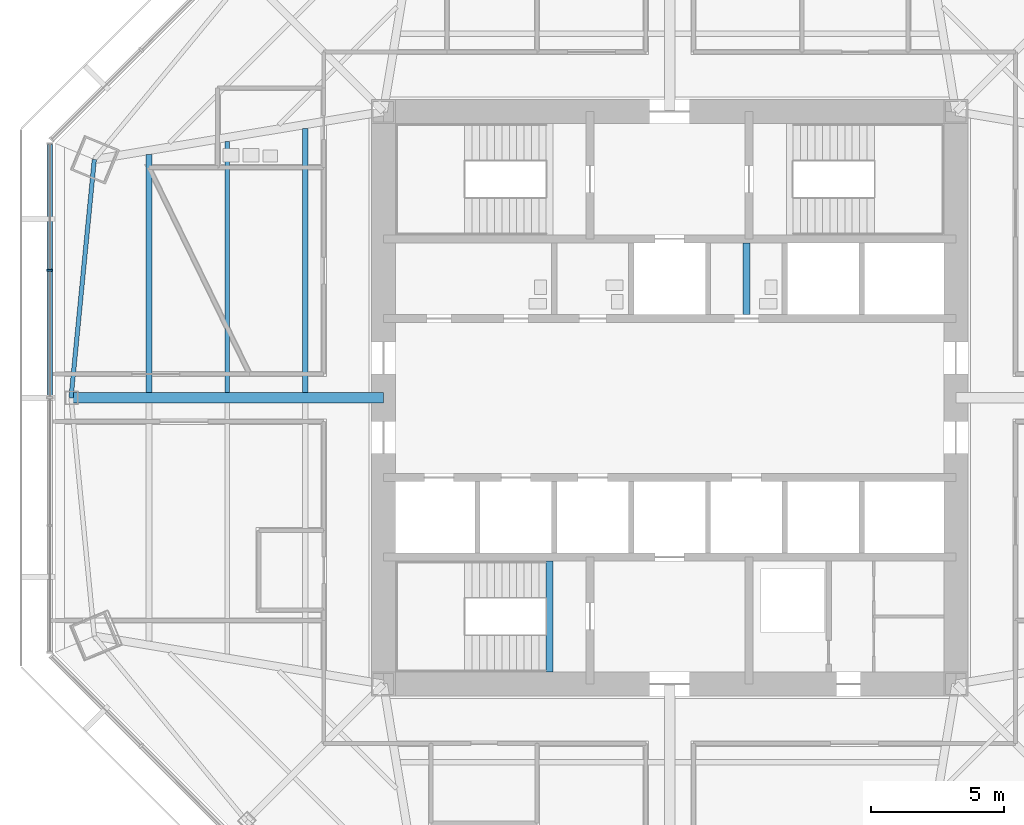
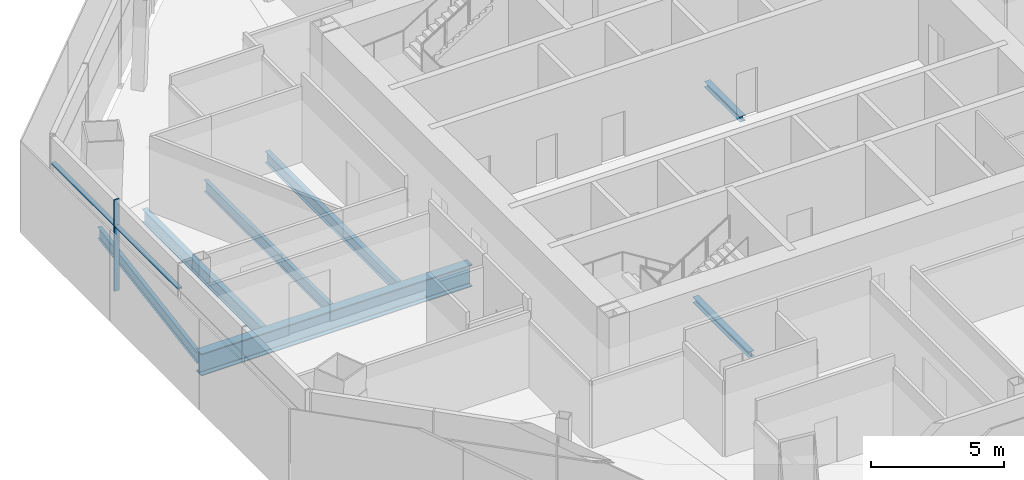
# One storey, part 3 of 15: 7 beams, 3 members, 1 element without a shape of its own.
"""IFC4 building model written with IfcOpenShell, lengths in metres."""

from ifc_helpers import new_model, si_unit, direction, frame, origin, origin_2d, place, context, subcontext, project, spatial, rectangle, i_section, extrude, source, transform, mapped, material, material_profile, profile_set, type_object, type_shapes, element, aggregate, save


model = new_model("IFC4")

# Units and contexts
model_context = context("Model", 3, precision=1e-05, world=origin(), true_north=direction((0.0, 1.0)))
body_context = subcontext(model_context, "Body", "Model", "MODEL_VIEW")
ifc_project = project(units=[si_unit("LENGTHUNIT", "METRE"), si_unit("AREAUNIT", "SQUARE_METRE"), si_unit("VOLUMEUNIT", "CUBIC_METRE"), si_unit("PLANEANGLEUNIT", "RADIAN"), si_unit("MASSUNIT", "GRAM", prefix="KILO")], contexts=[model_context])

# Site, building, storey
site_placement = place(None, origin())
site = spatial("IfcSite", under=ifc_project, at=site_placement, CompositionType="ELEMENT")
building_placement = place(site_placement, origin())
building = spatial("IfcBuilding", under=site, at=building_placement, Name="Mashrafa Tower", CompositionType="ELEMENT")
storey_placement = place(building_placement, frame((0.0, 0.0, 163.800048828125)))
storey = spatial("IfcBuildingStorey", under=building, at=storey_placement, Name="L37", CompositionType="ELEMENT", Elevation=163.800048828125)

# Beams
ifc_material_1 = material(Name="Steel ASTM A992", Category="steel")
ifc_material_profile_1 = material_profile(ifc_material_1, i_section(OverallWidth=0.1650390625, OverallDepth=0.52587890625, WebThickness=0.0087890625, FlangeThickness=0.011474609375, FilletRadius=0.0126953125, at=origin_2d()), Name="W21X44")
ifc_profile_set_1 = profile_set([ifc_material_profile_1], Name="Steel ASTM A992")
beam_type_1 = type_object("IfcBeamType", Name="Beam W21X44", PredefinedType="BEAM", material=ifc_profile_set_1)
beam_1_placement = place(storey_placement, frame((-21.70751953125, 8.991455078125, -0.427978515625), z_axis=(-0.097205081582, -0.995264372976, 0.0), x_axis=(0.995264372976, -0.097205081582, 0.0)))
element("IfcBeam", 1, at=beam_1_placement, inside=storey, type_object=beam_type_1, Name="Spandrel beam L37 059", PredefinedType="BEAM", context=body_context, shape_type="SweptSolid", body=[
    extrude(i_section(OverallWidth=0.1650390625, OverallDepth=0.52587890625, WebThickness=0.0087890625, FlangeThickness=0.011474609375, FilletRadius=0.0126953125, at=origin_2d()), origin(), (0.0, 0.0, 1.0), 9.0341796875),
])
ifc_material_2 = material(Name="Steel ASTM A992", Category="steel")
ifc_material_profile_2 = material_profile(ifc_material_2, i_section(OverallWidth=0.165771484375, OverallDepth=0.5283203125, WebThickness=0.009765625, FlangeThickness=0.013671875, FilletRadius=0.012939453125, at=origin_2d()), Name="W21X50")
ifc_profile_set_2 = profile_set([ifc_material_profile_2], Name="Steel ASTM A992")
beam_type_2 = type_object("IfcBeamType", Name="Beam W21X50", PredefinedType="BEAM", material=ifc_profile_set_2)
beam_2_placement = place(storey_placement, frame((-16.69287109375, 0.20068359375, -0.42919921875), z_axis=(0.0, 1.0, 0.0), x_axis=(-1.0, 0.0, 0.0)))
element("IfcBeam", 2, at=beam_2_placement, inside=storey, type_object=beam_type_2, Name="Floor beam L37 005", PredefinedType="BEAM", context=body_context, shape_type="SweptSolid", body=[
    extrude(i_section(OverallWidth=0.165771484375, OverallDepth=0.5283203125, WebThickness=0.009765625, FlangeThickness=0.013671875, FilletRadius=0.012939453125, at=origin_2d()), origin(), (0.0, 0.0, 1.0), 9.46630859375),
])
ifc_material_3 = material(Name="Steel ASTM A992", Category="steel")
ifc_material_profile_3 = material_profile(ifc_material_3, i_section(OverallWidth=0.209228515625, OverallDepth=0.533447265625, WebThickness=0.01025390625, FlangeThickness=0.015625, FilletRadius=0.012939453125, at=origin_2d()), Name="W21X62")
ifc_profile_set_3 = profile_set([ifc_material_profile_3], Name="Steel ASTM A992")
beam_type_3 = type_object("IfcBeamType", Name="Beam W21X62", PredefinedType="BEAM", material=ifc_profile_set_3)
beam_3_placement = place(storey_placement, frame((-13.746337890625, 0.20068359375, -0.431640625), z_axis=(0.0, 1.0, 0.0), x_axis=(-1.0, 0.0, 0.0)))
element("IfcBeam", 3, at=beam_3_placement, inside=storey, type_object=beam_type_3, Name="Floor beam L37 010", PredefinedType="BEAM", context=body_context, shape_type="SweptSolid", body=[
    extrude(i_section(OverallWidth=0.209228515625, OverallDepth=0.533447265625, WebThickness=0.01025390625, FlangeThickness=0.015625, FilletRadius=0.012939453125, at=origin_2d()), origin(), (0.0, 0.0, 1.0), 9.955078125),
])
ifc_material_4 = material(Name="Steel ASTM A992", Category="steel")
ifc_material_profile_4 = material_profile(ifc_material_4, i_section(OverallWidth=0.227783203125, OverallDepth=0.60205078125, WebThickness=0.010498046875, FlangeThickness=0.014892578125, FilletRadius=0.012939453125, at=origin_2d()), Name="W24X68")
ifc_profile_set_4 = profile_set([ifc_material_profile_4], Name="Steel ASTM A992")
beam_type_4 = type_object("IfcBeamType", Name="Beam W24X68", PredefinedType="BEAM", material=ifc_profile_set_4)
beam_4_placement = place(storey_placement, frame((-19.639404296875, 0.20068359375, -0.466064453125), z_axis=(0.0, 1.0, 0.0), x_axis=(-1.0, 0.0, 0.0)))
element("IfcBeam", 4, at=beam_4_placement, inside=storey, type_object=beam_type_4, Name="Floor beam L37 002", PredefinedType="BEAM", context=body_context, shape_type="SweptSolid", body=[
    extrude(i_section(OverallWidth=0.227783203125, OverallDepth=0.60205078125, WebThickness=0.010498046875, FlangeThickness=0.014892578125, FilletRadius=0.012939453125, at=origin_2d()), origin(), (0.0, 0.0, 1.0), 8.97802734375),
])
ifc_material_5 = material(Name="Steel ASTM A992", Category="steel")
ifc_material_profile_5 = material_profile(ifc_material_5, i_section(OverallWidth=0.4013671875, OverallDepth=1.010986328125, WebThickness=0.023681640625, FlangeThickness=0.0419921875, FilletRadius=0.02001953125, at=origin_2d()), Name="W40X297")
ifc_profile_set_5 = profile_set([ifc_material_profile_5], Name="Steel ASTM A992")
beam_type_5 = type_object("IfcBeamType", Name="Beam W40X297", PredefinedType="BEAM", material=ifc_profile_set_5)
beam_5_placement = place(storey_placement, frame((-10.800048828125, 0.0, -0.67041015625), z_axis=(-1.0, 0.0, 0.0), x_axis=(0.0, -1.0, 0.0)))
element("IfcBeam", 5, at=beam_5_placement, inside=storey, type_object=beam_type_5, Name="Radial girder L37 044", PredefinedType="BEAM", context=body_context, shape_type="SweptSolid", body=[
    extrude(i_section(OverallWidth=0.4013671875, OverallDepth=1.010986328125, WebThickness=0.023681640625, FlangeThickness=0.0419921875, FilletRadius=0.02001953125, at=origin_2d()), origin(), (0.0, 0.0, 1.0), 11.78564453125),
])
ifc_material_6 = material(Name="Steel ASTM A992", Category="steel")
ifc_material_profile_6 = material_profile(ifc_material_6, i_section(OverallWidth=0.25390625, OverallDepth=0.25390625, WebThickness=0.008544921875, FlangeThickness=0.01416015625, FilletRadius=0.010009765625, at=origin_2d()), Name="W10X49")
ifc_profile_set_6 = profile_set([ifc_material_profile_6], Name="Steel ASTM A992")
beam_type_6 = type_object("IfcBeamType", Name="Hoistway beam W10X49", PredefinedType="BEAM", material=ifc_profile_set_6)
beam_6_placement = place(storey_placement, frame((2.89990234375, 3.14990234375, -0.2919921875), z_axis=(0.0, 1.0, 0.0), x_axis=(-1.0, 0.0, 0.0)))
element("IfcBeam", 6, at=beam_6_placement, inside=storey, type_object=beam_type_6, Name="Hoistway beam L37 06", PredefinedType="BEAM", context=body_context, shape_type="SweptSolid", body=[
    extrude(i_section(OverallWidth=0.25390625, OverallDepth=0.25390625, WebThickness=0.008544921875, FlangeThickness=0.01416015625, FilletRadius=0.010009765625, at=origin_2d()), origin(), (0.0, 0.0, 1.0), 2.7001953125),
])
beam_7_placement = place(storey_placement, frame((-4.530029296875, -10.35009765625, -0.3271484375), z_axis=(0.0, 1.0, 0.0), x_axis=(-1.0, 0.0, 0.0)))
element("IfcBeam", 7, at=beam_7_placement, inside=storey, type_object=beam_type_6, Name="Stair S3 landing beam L37", PredefinedType="BEAM", context=body_context, shape_type="SweptSolid", body=[
    extrude(i_section(OverallWidth=0.25390625, OverallDepth=0.25390625, WebThickness=0.008544921875, FlangeThickness=0.01416015625, FilletRadius=0.010009765625, at=origin_2d()), origin(), (0.0, 0.0, 1.0), 4.2001953125),
])

# Curtain wall, members
ifc_material_7 = material(Name="Unitised aluminium curtain wall", Category="aluminium")
curtain_wall_type = type_object("IfcCurtainWallType", Name="Office curtain wall, zone 2 CW-B 225 deep", PredefinedType="NOTDEFINED", material=ifc_material_7)
curtain_wall_placement = place(storey_placement, origin())
curtain_wall = element("IfcCurtainWall", 8, at=curtain_wall_placement, inside=storey, type_object=curtain_wall_type, Name="Office curtain wall, zone 2 L37 west", PredefinedType="NOTDEFINED")
ifc_material_8 = material(Name="Extruded aluminium mullion", Category="aluminium")
ifc_material_profile_7 = material_profile(ifc_material_8, rectangle(XDim=0.22509765625, YDim=0.06494140625, at=origin_2d()), Name="Mullion 65x225")
ifc_profile_set_7 = profile_set([ifc_material_profile_7], Name="Extruded aluminium mullion")
member_type_1 = type_object("IfcMemberType", Name="Mullion CW-B 65 x 225", PredefinedType="MULLION", material=ifc_profile_set_7)
shared_shape_1 = source(origin(), body_context, "Body", "SweptSolid", [
    extrude(rectangle(XDim=0.22509765625, YDim=0.06494140625, at=origin_2d()), origin(), (0.0, 0.0, 1.0), 4.199951171875),
])
type_shapes(member_type_1, [shared_shape_1])
member_1_placement = place(storey_placement, frame((-23.381103515625, 4.81396484375, 0.0), z_axis=(0.0, 0.0, 1.0), x_axis=(1.0, 0.0, 0.0)))
member_1 = element("IfcMember", 9, at=member_1_placement, type_object=member_type_1, Name="CW-B mullion 2", PredefinedType="MULLION", context=body_context, shape_type="MappedRepresentation", body=[
    mapped(shared_shape_1, transform((0.0, 0.0, 0.0))),
])
ifc_material_9 = material(Name="Extruded aluminium transom", Category="aluminium")
ifc_material_profile_8 = material_profile(ifc_material_9, rectangle(XDim=0.179931640625, YDim=0.080078125, at=origin_2d()), Name="Transom 80x180")
ifc_profile_set_8 = profile_set([ifc_material_profile_8], Name="Extruded aluminium transom")
member_type_2 = type_object("IfcMemberType", Name="Transom CW-B 80 x 180", PredefinedType="MULLION", material=ifc_profile_set_8)
shared_shape_2 = source(origin(), body_context, "Body", "SweptSolid", [
    extrude(rectangle(XDim=0.179931640625, YDim=0.080078125, at=origin_2d()), origin(), (0.0, 0.0, 1.0), 4.716552734375),
])
member_2_placement = place(storey_placement, frame((-23.381103515625, 9.563232421875, 3.0), z_axis=(0.0, -1.0, 0.0), x_axis=(1.0, 0.0, 0.0)))
member_2 = element("IfcMember", 10, at=member_2_placement, type_object=member_type_2, Name="CW-B transom 1", PredefinedType="MULLION", context=body_context, shape_type="MappedRepresentation", body=[
    mapped(shared_shape_2, transform((0.0, 0.0, 0.0))),
])
shared_shape_3 = source(origin(), body_context, "Body", "SweptSolid", [
    extrude(rectangle(XDim=0.179931640625, YDim=0.080078125, at=origin_2d()), origin(), (0.0, 0.0, 1.0), 4.7490234375),
])
type_shapes(member_type_2, [shared_shape_2, shared_shape_3])
member_3_placement = place(storey_placement, frame((-23.381103515625, 4.781494140625, 3.0), z_axis=(0.0, -1.0, 0.0), x_axis=(1.0, 0.0, 0.0)))
member_3 = element("IfcMember", 11, at=member_3_placement, type_object=member_type_2, Name="CW-B transom 2", PredefinedType="MULLION", context=body_context, shape_type="MappedRepresentation", body=[
    mapped(shared_shape_3, transform((0.0, 0.0, 0.0))),
])
aggregate(curtain_wall, [member_1, member_2, member_3])

save(model, "model.ifc")
